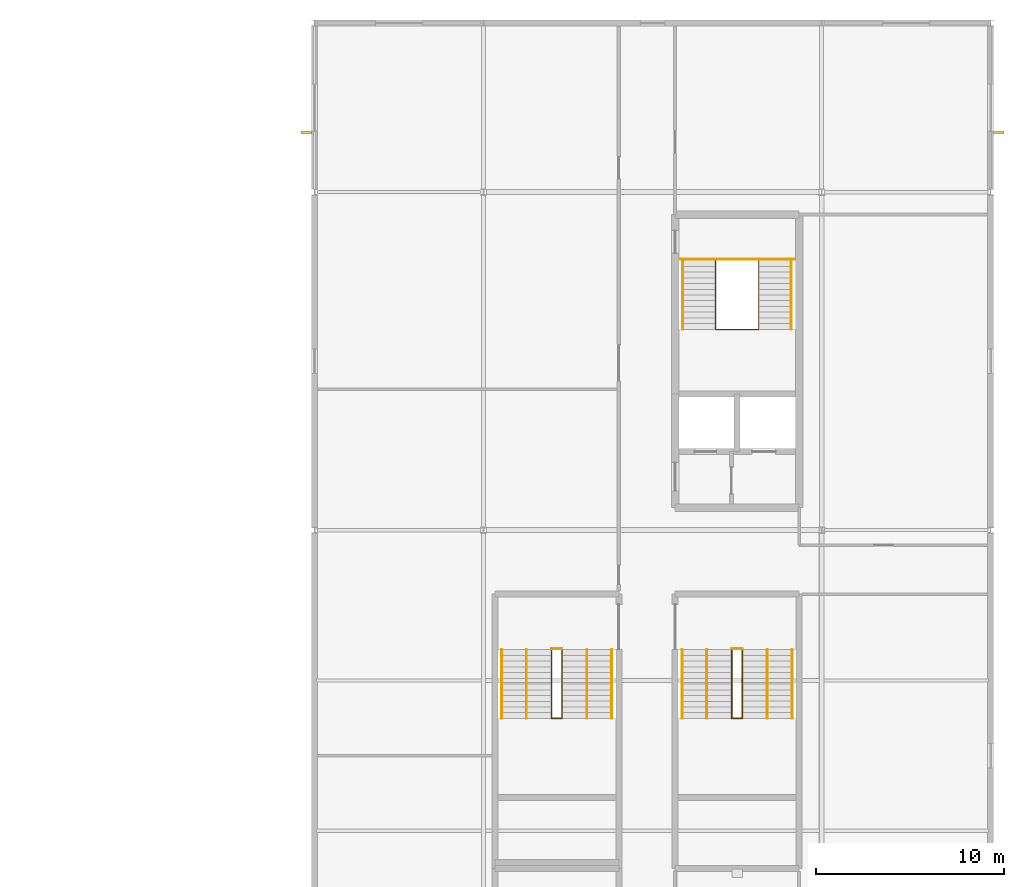
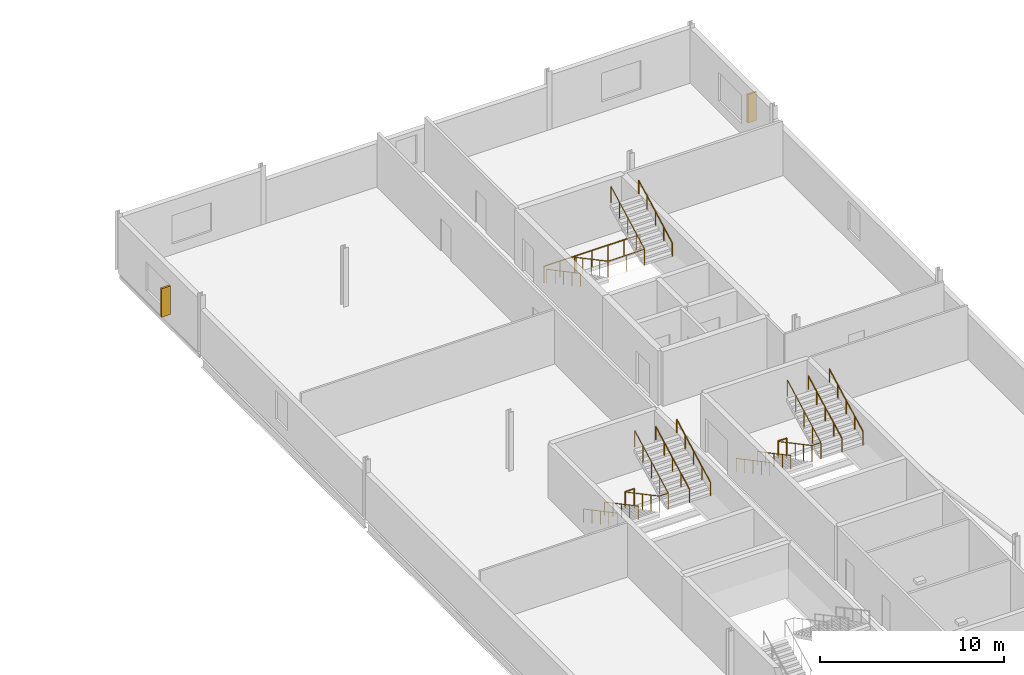
# One storey, part 30 of 31: 16 railings, 2 shading devices.
"""IFC4 building model written with IfcOpenShell, lengths in metres."""

from ifc_helpers import new_model, si_unit, direction, frame, origin, origin_2d, place, context, subcontext, project, spatial, rectangle, circle, extrude, material, type_object, element, save


model = new_model("IFC4")

# Units and contexts
model_context = context("Model", 3, precision=1e-05, world=origin(), true_north=direction((0.0, 1.0)))
body_context = subcontext(model_context, "Body", "Model", "MODEL_VIEW")
ifc_project = project(units=[si_unit("LENGTHUNIT", "METRE"), si_unit("AREAUNIT", "SQUARE_METRE"), si_unit("VOLUMEUNIT", "CUBIC_METRE"), si_unit("PLANEANGLEUNIT", "RADIAN"), si_unit("MASSUNIT", "GRAM", prefix="KILO")], contexts=[model_context])

# Site, building, storey
site_placement = place(None, origin())
site = spatial("IfcSite", under=ifc_project, at=site_placement, CompositionType="ELEMENT")
building_placement = place(site_placement, origin())
building = spatial("IfcBuilding", under=site, at=building_placement, Name="Kisiwana Market Hall", CompositionType="ELEMENT")
storey_placement = place(building_placement, frame((0.0, 0.0, 45.60009765625)))
storey = spatial("IfcBuildingStorey", under=building, at=storey_placement, Name="L10", CompositionType="ELEMENT", Elevation=45.60009765625)

# Railings
ifc_material_1 = material(Name="Steel S275", Category="steel")
railing_type_1 = type_object("IfcRailingType", Name="RL-GUARD-1100", PredefinedType="GUARDRAIL", material=ifc_material_1)
railing_1_placement = place(storey_placement, frame((183.35009765625, 98.3505859375, 0.0)))
element("IfcRailing", 1, at=railing_1_placement, inside=storey, type_object=railing_type_1, Name="Stair ST-E1-L10 inner-well guardrail (RL-1295)", PredefinedType="GUARDRAIL", context=body_context, shape_type="SweptSolid", body=[
    extrude(circle(Radius=0.02392578125, at=origin_2d()), frame((0.0, 0.0, 1.076171875), z_axis=(0.0, -0.882566327451, 0.470187917379), x_axis=(1.0, 0.0, 0.0)), (0.0, 0.0, 1.0), 4.147216796875),
    extrude(circle(Radius=0.02392578125, at=origin_2d()), frame((0.0, -3.66015625, 3.02587890625), z_axis=(1.0, 0.0, 0.0), x_axis=(0.0, 1.0, 0.0)), (0.0, 0.0, 1.0), 2.2998046875),
    extrude(circle(Radius=0.02392578125, at=origin_2d()), frame((2.2998046875, -3.66015625, 3.02587890625), z_axis=(0.0, 0.882566327451, 0.470187917379), x_axis=(-1.0, 0.0, 0.0)), (0.0, 0.0, 1.0), 4.147216796875),
    extrude(circle(Radius=0.02099609375, at=origin_2d()), origin(), (0.0, 0.0, 1.0), 1.052001953125),
    extrude(circle(Radius=0.02099609375, at=origin_2d()), frame((0.0, -0.9150390625, 0.487548828125)), (0.0, 0.0, 1.0), 1.052001953125),
    extrude(circle(Radius=0.02099609375, at=origin_2d()), frame((0.0, -1.830078125, 0.97509765625)), (0.0, 0.0, 1.0), 1.052001953125),
    extrude(circle(Radius=0.02099609375, at=origin_2d()), frame((0.0, -2.7451171875, 1.46240234375)), (0.0, 0.0, 1.0), 1.052001953125),
    extrude(circle(Radius=0.02099609375, at=origin_2d()), frame((0.0, -3.66015625, 1.949951171875)), (0.0, 0.0, 1.0), 1.052001953125),
    extrude(circle(Radius=0.02099609375, at=origin_2d()), frame((1.14990234375, -3.66015625, 1.949951171875)), (0.0, 0.0, 1.0), 1.052001953125),
    extrude(circle(Radius=0.02099609375, at=origin_2d()), frame((2.2998046875, -3.66015625, 1.949951171875)), (0.0, 0.0, 1.0), 1.052001953125),
    extrude(circle(Radius=0.02099609375, at=origin_2d()), frame((2.2998046875, -2.7451171875, 2.4375)), (0.0, 0.0, 1.0), 1.052001953125),
    extrude(circle(Radius=0.02099609375, at=origin_2d()), frame((2.2998046875, -1.830078125, 2.9248046875)), (0.0, 0.0, 1.0), 1.052001953125),
    extrude(circle(Radius=0.02099609375, at=origin_2d()), frame((2.2998046875, -0.9150390625, 3.412353515625)), (0.0, 0.0, 1.0), 1.052001953125),
    extrude(circle(Radius=0.02099609375, at=origin_2d()), frame((2.2998046875, 0.0, 3.89990234375)), (0.0, 0.0, 1.0), 1.052001953125),
])
railing_2_placement = place(storey_placement, frame((181.47998046875, 98.430419921875, 0.0)))
element("IfcRailing", 2, at=railing_2_placement, inside=storey, type_object=railing_type_1, Name="Stair ST-E1-L10 landing edge guardrail (RL-1298)", PredefinedType="GUARDRAIL", context=body_context, shape_type="SweptSolid", body=[
    extrude(circle(Radius=0.02392578125, at=origin_2d()), frame((0.0, 0.0, 1.076171875), z_axis=(1.0, 0.0, 0.0), x_axis=(0.0, 1.0, 0.0)), (0.0, 0.0, 1.0), 6.0400390625),
    extrude(circle(Radius=0.02099609375, at=origin_2d()), origin(), (0.0, 0.0, 1.0), 1.052001953125),
    extrude(circle(Radius=0.02099609375, at=origin_2d()), frame((1.006591796875, 0.0, 0.0)), (0.0, 0.0, 1.0), 1.052001953125),
    extrude(circle(Radius=0.02099609375, at=origin_2d()), frame((2.013427734375, 0.0, 0.0)), (0.0, 0.0, 1.0), 1.052001953125),
    extrude(circle(Radius=0.02099609375, at=origin_2d()), frame((3.02001953125, 0.0, 0.0)), (0.0, 0.0, 1.0), 1.052001953125),
    extrude(circle(Radius=0.02099609375, at=origin_2d()), frame((4.026611328125, 0.0, 0.0)), (0.0, 0.0, 1.0), 1.052001953125),
    extrude(circle(Radius=0.02099609375, at=origin_2d()), frame((5.033447265625, 0.0, 0.0)), (0.0, 0.0, 1.0), 1.052001953125),
    extrude(circle(Radius=0.02099609375, at=origin_2d()), frame((6.0400390625, 0.0, 0.0)), (0.0, 0.0, 1.0), 1.052001953125),
])
railing_3_placement = place(storey_placement, frame((184.219970703125, 77.639892578125, 0.0)))
element("IfcRailing", 3, at=railing_3_placement, inside=storey, type_object=railing_type_1, Name="Stair ST-E4-L10 inner-well guardrail (RL-1317)", PredefinedType="GUARDRAIL", context=body_context, shape_type="SweptSolid", body=[
    extrude(circle(Radius=0.02392578125, at=origin_2d()), frame((0.0, 0.0, 1.076171875), z_axis=(0.0, -0.88255331184, 0.47021234752), x_axis=(1.0, 0.0, 0.0)), (0.0, 0.0, 1.0), 4.14697265625),
    extrude(circle(Radius=0.02392578125, at=origin_2d()), frame((0.0, -3.659912109375, 3.02587890625), z_axis=(1.0, 0.0, 0.0), x_axis=(0.0, 1.0, 0.0)), (0.0, 0.0, 1.0), 0.56005859375),
    extrude(circle(Radius=0.02392578125, at=origin_2d()), frame((0.56005859375, -3.659912109375, 3.02587890625), z_axis=(0.0, 0.88255331184, 0.47021234752), x_axis=(-1.0, 0.0, 0.0)), (0.0, 0.0, 1.0), 4.14697265625),
    extrude(circle(Radius=0.02099609375, at=origin_2d()), origin(), (0.0, 0.0, 1.0), 1.052001953125),
    extrude(circle(Radius=0.02099609375, at=origin_2d()), frame((0.0, -0.9150390625, 0.487548828125)), (0.0, 0.0, 1.0), 1.052001953125),
    extrude(circle(Radius=0.02099609375, at=origin_2d()), frame((0.0, -1.830078125, 0.97509765625)), (0.0, 0.0, 1.0), 1.052001953125),
    extrude(circle(Radius=0.02099609375, at=origin_2d()), frame((0.0, -2.744873046875, 1.46240234375)), (0.0, 0.0, 1.0), 1.052001953125),
    extrude(circle(Radius=0.02099609375, at=origin_2d()), frame((0.0, -3.659912109375, 1.949951171875)), (0.0, 0.0, 1.0), 1.052001953125),
    extrude(circle(Radius=0.02099609375, at=origin_2d()), frame((0.56005859375, -3.659912109375, 1.949951171875)), (0.0, 0.0, 1.0), 1.052001953125),
    extrude(circle(Radius=0.02099609375, at=origin_2d()), frame((0.56005859375, -2.744873046875, 2.4375)), (0.0, 0.0, 1.0), 1.052001953125),
    extrude(circle(Radius=0.02099609375, at=origin_2d()), frame((0.56005859375, -1.830078125, 2.9248046875)), (0.0, 0.0, 1.0), 1.052001953125),
    extrude(circle(Radius=0.02099609375, at=origin_2d()), frame((0.56005859375, -0.9150390625, 3.412353515625)), (0.0, 0.0, 1.0), 1.052001953125),
    extrude(circle(Radius=0.02099609375, at=origin_2d()), frame((0.56005859375, 0.0, 3.89990234375)), (0.0, 0.0, 1.0), 1.052001953125),
])
railing_4_placement = place(storey_placement, frame((184.219970703125, 77.68994140625, 0.0)))
element("IfcRailing", 4, at=railing_4_placement, inside=storey, type_object=railing_type_1, Name="Stair ST-E4-L10 landing edge guardrail (RL-1322)", PredefinedType="GUARDRAIL", context=body_context, shape_type="SweptSolid", body=[
    extrude(circle(Radius=0.02392578125, at=origin_2d()), frame((0.0, 0.0, 1.076171875), z_axis=(1.0, 0.0, 0.0), x_axis=(0.0, 1.0, 0.0)), (0.0, 0.0, 1.0), 0.56005859375),
    extrude(circle(Radius=0.02099609375, at=origin_2d()), origin(), (0.0, 0.0, 1.0), 1.052001953125),
    extrude(circle(Radius=0.02099609375, at=origin_2d()), frame((0.56005859375, 0.0, 0.0)), (0.0, 0.0, 1.0), 1.052001953125),
])
railing_5_placement = place(storey_placement, frame((174.6201171875, 77.639892578125, 0.0)))
element("IfcRailing", 5, at=railing_5_placement, inside=storey, type_object=railing_type_1, Name="Stair ST-E8-L10 inner-well guardrail (RL-1341)", PredefinedType="GUARDRAIL", context=body_context, shape_type="SweptSolid", body=[
    extrude(circle(Radius=0.02392578125, at=origin_2d()), frame((0.0, 0.0, 1.076171875), z_axis=(0.0, -0.88255331184, 0.47021234752), x_axis=(1.0, 0.0, 0.0)), (0.0, 0.0, 1.0), 4.14697265625),
    extrude(circle(Radius=0.02392578125, at=origin_2d()), frame((0.0, -3.659912109375, 3.02587890625), z_axis=(1.0, 0.0, 0.0), x_axis=(0.0, 1.0, 0.0)), (0.0, 0.0, 1.0), 0.559814453125),
    extrude(circle(Radius=0.02392578125, at=origin_2d()), frame((0.559814453125, -3.659912109375, 3.02587890625), z_axis=(0.0, 0.88255331184, 0.47021234752), x_axis=(-1.0, 0.0, 0.0)), (0.0, 0.0, 1.0), 4.14697265625),
    extrude(circle(Radius=0.02099609375, at=origin_2d()), origin(), (0.0, 0.0, 1.0), 1.052001953125),
    extrude(circle(Radius=0.02099609375, at=origin_2d()), frame((0.0, -0.9150390625, 0.487548828125)), (0.0, 0.0, 1.0), 1.052001953125),
    extrude(circle(Radius=0.02099609375, at=origin_2d()), frame((0.0, -1.830078125, 0.97509765625)), (0.0, 0.0, 1.0), 1.052001953125),
    extrude(circle(Radius=0.02099609375, at=origin_2d()), frame((0.0, -2.744873046875, 1.46240234375)), (0.0, 0.0, 1.0), 1.052001953125),
    extrude(circle(Radius=0.02099609375, at=origin_2d()), frame((0.0, -3.659912109375, 1.949951171875)), (0.0, 0.0, 1.0), 1.052001953125),
    extrude(circle(Radius=0.02099609375, at=origin_2d()), frame((0.559814453125, -3.659912109375, 1.949951171875)), (0.0, 0.0, 1.0), 1.052001953125),
    extrude(circle(Radius=0.02099609375, at=origin_2d()), frame((0.559814453125, -2.744873046875, 2.4375)), (0.0, 0.0, 1.0), 1.052001953125),
    extrude(circle(Radius=0.02099609375, at=origin_2d()), frame((0.559814453125, -1.830078125, 2.9248046875)), (0.0, 0.0, 1.0), 1.052001953125),
    extrude(circle(Radius=0.02099609375, at=origin_2d()), frame((0.559814453125, -0.9150390625, 3.412353515625)), (0.0, 0.0, 1.0), 1.052001953125),
    extrude(circle(Radius=0.02099609375, at=origin_2d()), frame((0.559814453125, 0.0, 3.89990234375)), (0.0, 0.0, 1.0), 1.052001953125),
])
railing_6_placement = place(storey_placement, frame((174.6201171875, 77.68994140625, 0.0)))
element("IfcRailing", 6, at=railing_6_placement, inside=storey, type_object=railing_type_1, Name="Stair ST-E8-L10 landing edge guardrail (RL-1346)", PredefinedType="GUARDRAIL", context=body_context, shape_type="SweptSolid", body=[
    extrude(circle(Radius=0.02392578125, at=origin_2d()), frame((0.0, 0.0, 1.076171875), z_axis=(1.0, 0.0, 0.0), x_axis=(0.0, 1.0, 0.0)), (0.0, 0.0, 1.0), 0.559814453125),
    extrude(circle(Radius=0.02099609375, at=origin_2d()), origin(), (0.0, 0.0, 1.0), 1.052001953125),
    extrude(circle(Radius=0.02099609375, at=origin_2d()), frame((0.559814453125, 0.0, 0.0)), (0.0, 0.0, 1.0), 1.052001953125),
])
ifc_material_2 = material(Name="Steel S275", Category="steel")
railing_type_2 = type_object("IfcRailingType", Name="RL-HAND-900", PredefinedType="HANDRAIL", material=ifc_material_2)
railing_7_placement = place(storey_placement, frame((181.610107421875, 98.3505859375, 0.0)))
element("IfcRailing", 7, at=railing_7_placement, inside=storey, type_object=railing_type_2, Name="Stair ST-E1-L10 flight 1 handrail (RL-1296)", PredefinedType="HANDRAIL", context=body_context, shape_type="SweptSolid", body=[
    extrude(circle(Radius=0.02392578125, at=origin_2d()), frame((0.0, 0.0, 0.8759765625), z_axis=(0.0, -0.882566327451, 0.470187917379), x_axis=(1.0, 0.0, 0.0)), (0.0, 0.0, 1.0), 4.147216796875),
    extrude(circle(Radius=0.02099609375, at=origin_2d()), origin(), (0.0, 0.0, 1.0), 0.851806640625),
    extrude(circle(Radius=0.02099609375, at=origin_2d()), frame((0.0, -0.9150390625, 0.487548828125)), (0.0, 0.0, 1.0), 0.851806640625),
    extrude(circle(Radius=0.02099609375, at=origin_2d()), frame((0.0, -1.830078125, 0.97509765625)), (0.0, 0.0, 1.0), 0.851806640625),
    extrude(circle(Radius=0.02099609375, at=origin_2d()), frame((0.0, -2.7451171875, 1.46240234375)), (0.0, 0.0, 1.0), 0.851806640625),
    extrude(circle(Radius=0.02099609375, at=origin_2d()), frame((0.0, -3.66015625, 1.949951171875)), (0.0, 0.0, 1.0), 0.851806640625),
])
railing_8_placement = place(storey_placement, frame((187.389892578125, 94.6904296875, 1.949951171875)))
element("IfcRailing", 8, at=railing_8_placement, inside=storey, type_object=railing_type_2, Name="Stair ST-E1-L10 flight 2 handrail (RL-1297)", PredefinedType="HANDRAIL", context=body_context, shape_type="SweptSolid", body=[
    extrude(circle(Radius=0.02392578125, at=origin_2d()), frame((0.0, 0.0, 0.8759765625), z_axis=(0.0, 0.882566327451, 0.470187917379), x_axis=(-1.0, 0.0, 0.0)), (0.0, 0.0, 1.0), 4.147216796875),
    extrude(circle(Radius=0.02099609375, at=origin_2d()), origin(), (0.0, 0.0, 1.0), 0.851806640625),
    extrude(circle(Radius=0.02099609375, at=origin_2d()), frame((0.0, 0.9150390625, 0.487548828125)), (0.0, 0.0, 1.0), 0.851806640625),
    extrude(circle(Radius=0.02099609375, at=origin_2d()), frame((0.0, 1.830078125, 0.97509765625)), (0.0, 0.0, 1.0), 0.851806640625),
    extrude(circle(Radius=0.02099609375, at=origin_2d()), frame((0.0, 2.7451171875, 1.46240234375)), (0.0, 0.0, 1.0), 0.851806640625),
    extrude(circle(Radius=0.02099609375, at=origin_2d()), frame((0.0, 3.66015625, 1.949951171875)), (0.0, 0.0, 1.0), 0.851806640625),
])
railing_9_placement = place(storey_placement, frame((181.570068359375, 77.639892578125, 0.0)))
element("IfcRailing", 9, at=railing_9_placement, inside=storey, type_object=railing_type_2, Name="Stair ST-E4-L10 flight 1 handrail (RL-1318)", PredefinedType="HANDRAIL", context=body_context, shape_type="SweptSolid", body=[
    extrude(circle(Radius=0.02392578125, at=origin_2d()), frame((0.0, 0.0, 0.8759765625), z_axis=(0.0, -0.88255331184, 0.47021234752), x_axis=(1.0, 0.0, 0.0)), (0.0, 0.0, 1.0), 4.14697265625),
    extrude(circle(Radius=0.02099609375, at=origin_2d()), origin(), (0.0, 0.0, 1.0), 0.851806640625),
    extrude(circle(Radius=0.02099609375, at=origin_2d()), frame((0.0, -0.9150390625, 0.487548828125)), (0.0, 0.0, 1.0), 0.851806640625),
    extrude(circle(Radius=0.02099609375, at=origin_2d()), frame((0.0, -1.830078125, 0.97509765625)), (0.0, 0.0, 1.0), 0.851806640625),
    extrude(circle(Radius=0.02099609375, at=origin_2d()), frame((0.0, -2.744873046875, 1.46240234375)), (0.0, 0.0, 1.0), 0.851806640625),
    extrude(circle(Radius=0.02099609375, at=origin_2d()), frame((0.0, -3.659912109375, 1.949951171875)), (0.0, 0.0, 1.0), 0.851806640625),
])
railing_10_placement = place(storey_placement, frame((187.429931640625, 73.97998046875, 1.949951171875)))
element("IfcRailing", 10, at=railing_10_placement, inside=storey, type_object=railing_type_2, Name="Stair ST-E4-L10 flight 2 handrail (RL-1319)", PredefinedType="HANDRAIL", context=body_context, shape_type="SweptSolid", body=[
    extrude(circle(Radius=0.02392578125, at=origin_2d()), frame((0.0, 0.0, 0.8759765625), z_axis=(0.0, 0.88255331184, 0.47021234752), x_axis=(-1.0, 0.0, 0.0)), (0.0, 0.0, 1.0), 4.14697265625),
    extrude(circle(Radius=0.02099609375, at=origin_2d()), origin(), (0.0, 0.0, 1.0), 0.851806640625),
    extrude(circle(Radius=0.02099609375, at=origin_2d()), frame((0.0, 0.9150390625, 0.487548828125)), (0.0, 0.0, 1.0), 0.851806640625),
    extrude(circle(Radius=0.02099609375, at=origin_2d()), frame((0.0, 1.830078125, 0.97509765625)), (0.0, 0.0, 1.0), 0.851806640625),
    extrude(circle(Radius=0.02099609375, at=origin_2d()), frame((0.0, 2.744873046875, 1.46240234375)), (0.0, 0.0, 1.0), 0.851806640625),
    extrude(circle(Radius=0.02099609375, at=origin_2d()), frame((0.0, 3.659912109375, 1.949951171875)), (0.0, 0.0, 1.0), 0.851806640625),
])
railing_11_placement = place(storey_placement, frame((182.889892578125, 77.639892578125, 0.0)))
element("IfcRailing", 11, at=railing_11_placement, inside=storey, type_object=railing_type_2, Name="Stair ST-E4-L10 flight 1 intermediate handrail (RL-1320)", PredefinedType="HANDRAIL", context=body_context, shape_type="SweptSolid", body=[
    extrude(circle(Radius=0.02392578125, at=origin_2d()), frame((0.0, 0.0, 0.8759765625), z_axis=(0.0, -0.88255331184, 0.47021234752), x_axis=(1.0, 0.0, 0.0)), (0.0, 0.0, 1.0), 4.14697265625),
    extrude(circle(Radius=0.02099609375, at=origin_2d()), origin(), (0.0, 0.0, 1.0), 0.851806640625),
    extrude(circle(Radius=0.02099609375, at=origin_2d()), frame((0.0, -0.9150390625, 0.487548828125)), (0.0, 0.0, 1.0), 0.851806640625),
    extrude(circle(Radius=0.02099609375, at=origin_2d()), frame((0.0, -1.830078125, 0.97509765625)), (0.0, 0.0, 1.0), 0.851806640625),
    extrude(circle(Radius=0.02099609375, at=origin_2d()), frame((0.0, -2.744873046875, 1.46240234375)), (0.0, 0.0, 1.0), 0.851806640625),
    extrude(circle(Radius=0.02099609375, at=origin_2d()), frame((0.0, -3.659912109375, 1.949951171875)), (0.0, 0.0, 1.0), 0.851806640625),
])
railing_12_placement = place(storey_placement, frame((186.110107421875, 73.97998046875, 1.949951171875)))
element("IfcRailing", 12, at=railing_12_placement, inside=storey, type_object=railing_type_2, Name="Stair ST-E4-L10 flight 2 intermediate handrail (RL-1321)", PredefinedType="HANDRAIL", context=body_context, shape_type="SweptSolid", body=[
    extrude(circle(Radius=0.02392578125, at=origin_2d()), frame((0.0, 0.0, 0.8759765625), z_axis=(0.0, 0.88255331184, 0.47021234752), x_axis=(-1.0, 0.0, 0.0)), (0.0, 0.0, 1.0), 4.14697265625),
    extrude(circle(Radius=0.02099609375, at=origin_2d()), origin(), (0.0, 0.0, 1.0), 0.851806640625),
    extrude(circle(Radius=0.02099609375, at=origin_2d()), frame((0.0, 0.9150390625, 0.487548828125)), (0.0, 0.0, 1.0), 0.851806640625),
    extrude(circle(Radius=0.02099609375, at=origin_2d()), frame((0.0, 1.830078125, 0.97509765625)), (0.0, 0.0, 1.0), 0.851806640625),
    extrude(circle(Radius=0.02099609375, at=origin_2d()), frame((0.0, 2.744873046875, 1.46240234375)), (0.0, 0.0, 1.0), 0.851806640625),
    extrude(circle(Radius=0.02099609375, at=origin_2d()), frame((0.0, 3.659912109375, 1.949951171875)), (0.0, 0.0, 1.0), 0.851806640625),
])
railing_13_placement = place(storey_placement, frame((171.969970703125, 77.639892578125, 0.0)))
element("IfcRailing", 13, at=railing_13_placement, inside=storey, type_object=railing_type_2, Name="Stair ST-E8-L10 flight 1 handrail (RL-1342)", PredefinedType="HANDRAIL", context=body_context, shape_type="SweptSolid", body=[
    extrude(circle(Radius=0.02392578125, at=origin_2d()), frame((0.0, 0.0, 0.8759765625), z_axis=(0.0, -0.88255331184, 0.47021234752), x_axis=(1.0, 0.0, 0.0)), (0.0, 0.0, 1.0), 4.14697265625),
    extrude(circle(Radius=0.02099609375, at=origin_2d()), origin(), (0.0, 0.0, 1.0), 0.851806640625),
    extrude(circle(Radius=0.02099609375, at=origin_2d()), frame((0.0, -0.9150390625, 0.487548828125)), (0.0, 0.0, 1.0), 0.851806640625),
    extrude(circle(Radius=0.02099609375, at=origin_2d()), frame((0.0, -1.830078125, 0.97509765625)), (0.0, 0.0, 1.0), 0.851806640625),
    extrude(circle(Radius=0.02099609375, at=origin_2d()), frame((0.0, -2.744873046875, 1.46240234375)), (0.0, 0.0, 1.0), 0.851806640625),
    extrude(circle(Radius=0.02099609375, at=origin_2d()), frame((0.0, -3.659912109375, 1.949951171875)), (0.0, 0.0, 1.0), 0.851806640625),
])
railing_14_placement = place(storey_placement, frame((177.830078125, 73.97998046875, 1.949951171875)))
element("IfcRailing", 14, at=railing_14_placement, inside=storey, type_object=railing_type_2, Name="Stair ST-E8-L10 flight 2 handrail (RL-1343)", PredefinedType="HANDRAIL", context=body_context, shape_type="SweptSolid", body=[
    extrude(circle(Radius=0.02392578125, at=origin_2d()), frame((0.0, 0.0, 0.8759765625), z_axis=(0.0, 0.88255331184, 0.47021234752), x_axis=(-1.0, 0.0, 0.0)), (0.0, 0.0, 1.0), 4.14697265625),
    extrude(circle(Radius=0.02099609375, at=origin_2d()), origin(), (0.0, 0.0, 1.0), 0.851806640625),
    extrude(circle(Radius=0.02099609375, at=origin_2d()), frame((0.0, 0.9150390625, 0.487548828125)), (0.0, 0.0, 1.0), 0.851806640625),
    extrude(circle(Radius=0.02099609375, at=origin_2d()), frame((0.0, 1.830078125, 0.97509765625)), (0.0, 0.0, 1.0), 0.851806640625),
    extrude(circle(Radius=0.02099609375, at=origin_2d()), frame((0.0, 2.744873046875, 1.46240234375)), (0.0, 0.0, 1.0), 0.851806640625),
    extrude(circle(Radius=0.02099609375, at=origin_2d()), frame((0.0, 3.659912109375, 1.949951171875)), (0.0, 0.0, 1.0), 0.851806640625),
])
railing_15_placement = place(storey_placement, frame((173.2900390625, 77.639892578125, 0.0)))
element("IfcRailing", 15, at=railing_15_placement, inside=storey, type_object=railing_type_2, Name="Stair ST-E8-L10 flight 1 intermediate handrail (RL-1344)", PredefinedType="HANDRAIL", context=body_context, shape_type="SweptSolid", body=[
    extrude(circle(Radius=0.02392578125, at=origin_2d()), frame((0.0, 0.0, 0.8759765625), z_axis=(0.0, -0.88255331184, 0.47021234752), x_axis=(1.0, 0.0, 0.0)), (0.0, 0.0, 1.0), 4.14697265625),
    extrude(circle(Radius=0.02099609375, at=origin_2d()), origin(), (0.0, 0.0, 1.0), 0.851806640625),
    extrude(circle(Radius=0.02099609375, at=origin_2d()), frame((0.0, -0.9150390625, 0.487548828125)), (0.0, 0.0, 1.0), 0.851806640625),
    extrude(circle(Radius=0.02099609375, at=origin_2d()), frame((0.0, -1.830078125, 0.97509765625)), (0.0, 0.0, 1.0), 0.851806640625),
    extrude(circle(Radius=0.02099609375, at=origin_2d()), frame((0.0, -2.744873046875, 1.46240234375)), (0.0, 0.0, 1.0), 0.851806640625),
    extrude(circle(Radius=0.02099609375, at=origin_2d()), frame((0.0, -3.659912109375, 1.949951171875)), (0.0, 0.0, 1.0), 0.851806640625),
])
railing_16_placement = place(storey_placement, frame((176.510009765625, 73.97998046875, 1.949951171875)))
element("IfcRailing", 16, at=railing_16_placement, inside=storey, type_object=railing_type_2, Name="Stair ST-E8-L10 flight 2 intermediate handrail (RL-1345)", PredefinedType="HANDRAIL", context=body_context, shape_type="SweptSolid", body=[
    extrude(circle(Radius=0.02392578125, at=origin_2d()), frame((0.0, 0.0, 0.8759765625), z_axis=(0.0, 0.88255331184, 0.47021234752), x_axis=(-1.0, 0.0, 0.0)), (0.0, 0.0, 1.0), 4.14697265625),
    extrude(circle(Radius=0.02099609375, at=origin_2d()), origin(), (0.0, 0.0, 1.0), 0.851806640625),
    extrude(circle(Radius=0.02099609375, at=origin_2d()), frame((0.0, 0.9150390625, 0.487548828125)), (0.0, 0.0, 1.0), 0.851806640625),
    extrude(circle(Radius=0.02099609375, at=origin_2d()), frame((0.0, 1.830078125, 0.97509765625)), (0.0, 0.0, 1.0), 0.851806640625),
    extrude(circle(Radius=0.02099609375, at=origin_2d()), frame((0.0, 2.744873046875, 1.46240234375)), (0.0, 0.0, 1.0), 0.851806640625),
    extrude(circle(Radius=0.02099609375, at=origin_2d()), frame((0.0, 3.659912109375, 1.949951171875)), (0.0, 0.0, 1.0), 0.851806640625),
])

# Shading devices
ifc_material_3 = material(Name="Aluminium alloy 6063-T6", Category="aluminium")
shading_device_type = type_object("IfcShadingDeviceType", Name="SHD-SHUTTER-V", PredefinedType="SHUTTER", material=ifc_material_3)
for number, where, z_axis, x_axis, name in (
    (17, (161.5673828125, 105.169921875, 0.699951171875), (0.0, 0.0, 1.0), (0.0, 1.0, 0.0), "Vertical solar fin SHD-202 SD-201"),
    (18, (198.4326171875, 105.169921875, 0.699951171875), (0.0, 0.0, 1.0), (0.0, 1.0, 0.0), "Vertical solar fin SHD-204 SD-203"),
):
    element("IfcShadingDevice", number, at=place(storey_placement, frame(where, z_axis=z_axis, x_axis=x_axis)), inside=storey, type_object=shading_device_type, Name=name, PredefinedType="SHUTTER", context=body_context, shape_type="SweptSolid", body=[
        extrude(rectangle(XDim=0.1201171875, YDim=0.550048828125, at=origin_2d()), origin(), (0.0, 0.0, 1.0), 1.89990234375),
    ])

save(model, "model.ifc")
